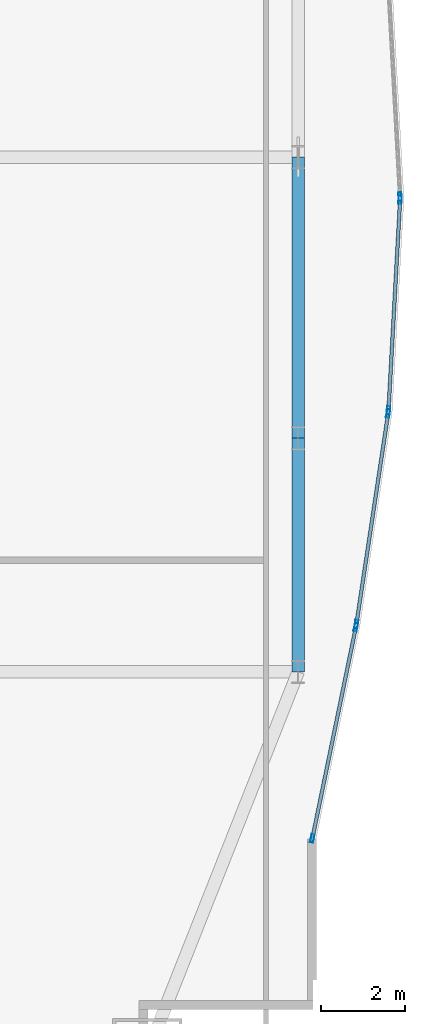
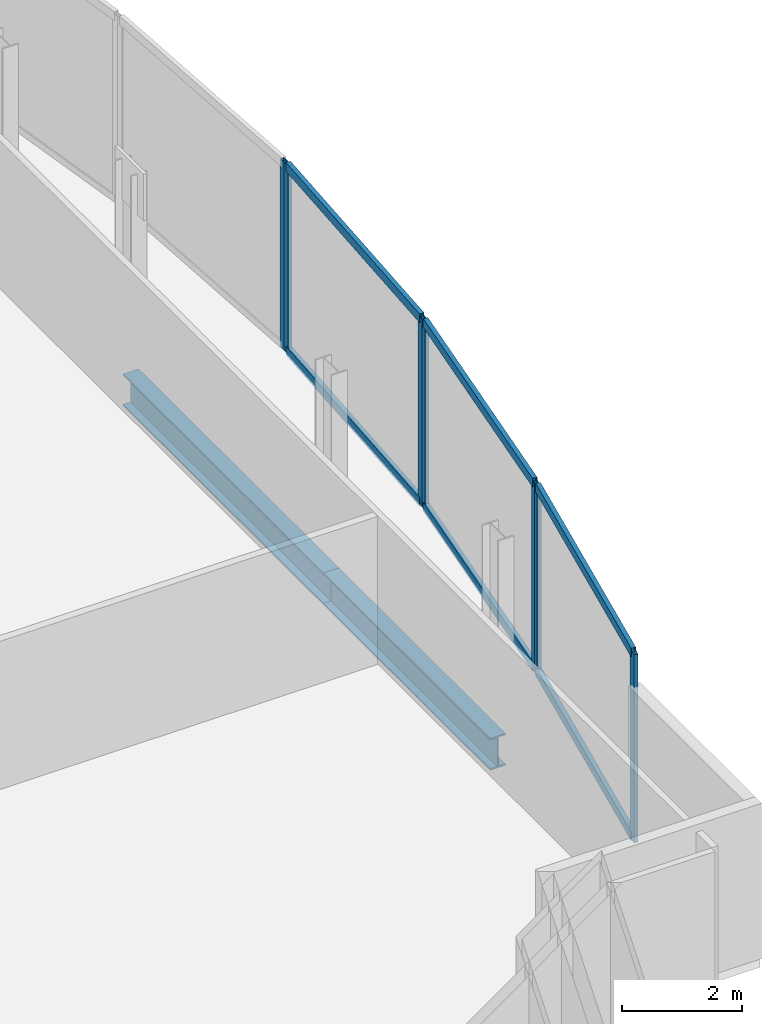
# One storey, part 22 of 36: 13 members, 2 beams, 4 elements without a shape of their own.
"""IFC4 building model written with IfcOpenShell, lengths in metres."""

from ifc_helpers import new_model, si_unit, direction, frame, origin, origin_2d, place, context, subcontext, project, spatial, hollow_rectangle, i_section, extrude, material, material_profile, profile_set, type_object, element, aggregate, save


model = new_model("IFC4")

# Units and contexts
model_context = context("Model", 3, precision=1e-05, world=origin(), true_north=direction((0.0, 1.0)))
body_context = subcontext(model_context, "Body", "Model", "MODEL_VIEW")
ifc_project = project(units=[si_unit("LENGTHUNIT", "METRE"), si_unit("AREAUNIT", "SQUARE_METRE"), si_unit("VOLUMEUNIT", "CUBIC_METRE"), si_unit("PLANEANGLEUNIT", "RADIAN"), si_unit("MASSUNIT", "GRAM", prefix="KILO")], contexts=[model_context])

# Site, building, storey
site_placement = place(None, origin())
site = spatial("IfcSite", under=ifc_project, at=site_placement, CompositionType="ELEMENT")
building_placement = place(site_placement, origin())
building = spatial("IfcBuilding", under=site, at=building_placement, Name="Khoronbel Lancet Exchange", CompositionType="ELEMENT")
storey_placement = place(building_placement, frame((0.0, 0.0, 57.800048828125)))
storey = spatial("IfcBuildingStorey", under=building, at=storey_placement, Name="L13", CompositionType="ELEMENT", Elevation=57.800048828125)

# Beams
ifc_material_1 = material(Name="Steel S355", Category="steel")
ifc_material_profile_1 = material_profile(ifc_material_1, i_section(OverallWidth=0.300048828125, OverallDepth=0.64990234375, WebThickness=0.01611328125, FlangeThickness=0.031005859375, at=origin_2d()), Name="HEB 650")
ifc_profile_set_1 = profile_set([ifc_material_profile_1], Name="Steel S355")
beam_type = type_object("IfcBeamType", Name="BM-BSP1", PredefinedType="SPANDREL", material=ifc_profile_set_1)
beam_1_placement = place(storey_placement, frame((71.6298828125, 19.199951171875, -0.505126953125), z_axis=(0.0, 1.0, 0.0), x_axis=(-1.0, 0.0, 0.0)))
element("IfcBeam", 1, at=beam_1_placement, inside=storey, type_object=beam_type, Name="Level L13 perimeter spandrel beam SP11", PredefinedType="SPANDREL", context=body_context, shape_type="SweptSolid", body=[
    extrude(i_section(OverallWidth=0.300048828125, OverallDepth=0.64990234375, WebThickness=0.01611328125, FlangeThickness=0.031005859375, at=origin_2d()), origin(), (0.0, 0.0, 1.0), 5.550048828125),
])
beam_2_placement = place(storey_placement, frame((71.6298828125, 24.75, -0.505126953125), z_axis=(0.0, 1.0, 0.0), x_axis=(-1.0, 0.0, 0.0)))
element("IfcBeam", 2, at=beam_2_placement, inside=storey, type_object=beam_type, Name="Level L13 perimeter spandrel beam SP12", PredefinedType="SPANDREL", context=body_context, shape_type="SweptSolid", body=[
    extrude(i_section(OverallWidth=0.300048828125, OverallDepth=0.64990234375, WebThickness=0.01611328125, FlangeThickness=0.031005859375, at=origin_2d()), origin(), (0.0, 0.0, 1.0), 6.675048828125),
])

# Curtain wall, member
ifc_material_2 = material(Name="Low-E Solar Control Insulating Glass", Category="glass")
curtain_wall_type = type_object("IfcCurtainWallType", Name="CW-4", PredefinedType="NOTDEFINED", material=ifc_material_2)
curtain_wall_1_placement = place(storey_placement, origin())
curtain_wall_1 = element("IfcCurtainWall", 3, at=curtain_wall_1_placement, inside=storey, type_object=curtain_wall_type, Name="Unitised curtain wall CW-L13-E19", PredefinedType="NOTDEFINED")
ifc_material_3 = material(Name="Bronze-Anodised Aluminium 6063-T6", Category="aluminium")
ifc_material_profile_2 = material_profile(ifc_material_3, hollow_rectangle(XDim=0.074951171875, YDim=0.199951171875, WallThickness=0.0048828125, at=origin_2d()), Name="ALU MULLION 75x200")
ifc_profile_set_2 = profile_set([ifc_material_profile_2], Name="Bronze-Anodised Aluminium 6063-T6")
member_type_1 = type_object("IfcMemberType", Name="MEM-CWM2", PredefinedType="MULLION", material=ifc_profile_set_2)
member_1_placement = place(storey_placement, frame((74.051513671875, 30.487548828125, 0.0), z_axis=(0.0, 0.0, 1.0), x_axis=(0.998480930794, 0.055098374212, 0.0)))
member_1 = element("IfcMember", 4, at=member_1_placement, type_object=member_type_1, Name="CW4 mullion 2", PredefinedType="MULLION", context=body_context, shape_type="SweptSolid", body=[
    extrude(hollow_rectangle(XDim=0.074951171875, YDim=0.199951171875, WallThickness=0.0048828125, at=origin_2d()), origin(), (0.0, 0.0, 1.0), 3.820068359375),
])
aggregate(curtain_wall_1, [member_1])

# Curtain wall, members
curtain_wall_2_placement = place(storey_placement, origin())
curtain_wall_2 = element("IfcCurtainWall", 5, at=curtain_wall_2_placement, inside=storey, type_object=curtain_wall_type, Name="Unitised curtain wall CW-L13-E20", PredefinedType="NOTDEFINED")
member_2_placement = place(storey_placement, frame((74.051513671875, 30.41259765625, 0.0), z_axis=(0.0, 0.0, 1.0), x_axis=(0.998480930794, -0.055098374212, 0.0)))
member_2 = element("IfcMember", 6, at=member_2_placement, type_object=member_type_1, Name="CW4 mullion 1", PredefinedType="MULLION", context=body_context, shape_type="SweptSolid", body=[
    extrude(hollow_rectangle(XDim=0.074951171875, YDim=0.199951171875, WallThickness=0.0048828125, at=origin_2d()), origin(), (0.0, 0.0, 1.0), 3.820068359375),
])
member_3_placement = place(storey_placement, frame((73.775634765625, 25.413330078125, 0.0), z_axis=(0.0, 0.0, 1.0), x_axis=(0.998480930794, -0.055098374212, 0.0)))
member_3 = element("IfcMember", 7, at=member_3_placement, type_object=member_type_1, Name="CW4 mullion 2", PredefinedType="MULLION", context=body_context, shape_type="SweptSolid", body=[
    extrude(hollow_rectangle(XDim=0.074951171875, YDim=0.199951171875, WallThickness=0.0048828125, at=origin_2d()), origin(), (0.0, 0.0, 1.0), 3.820068359375),
])

curtain_wall_3_placement = place(storey_placement, origin())
curtain_wall_3 = element("IfcCurtainWall", 8, at=curtain_wall_3_placement, inside=storey, type_object=curtain_wall_type, Name="Unitised curtain wall CW-L13-E21", PredefinedType="NOTDEFINED")
member_4_placement = place(storey_placement, frame((73.76806640625, 25.3388671875, 0.0), z_axis=(0.0, 0.0, 1.0), x_axis=(0.988825213041, -0.149079502463, 0.0)))
member_4 = element("IfcMember", 9, at=member_4_placement, type_object=member_type_1, Name="CW4 mullion 1", PredefinedType="MULLION", context=body_context, shape_type="SweptSolid", body=[
    extrude(hollow_rectangle(XDim=0.074951171875, YDim=0.199951171875, WallThickness=0.0048828125, at=origin_2d()), origin(), (0.0, 0.0, 1.0), 3.820068359375),
])
member_5_placement = place(storey_placement, frame((73.013671875, 20.336181640625, 0.0), z_axis=(0.0, 0.0, 1.0), x_axis=(0.988825213041, -0.149079502463, 0.0)))
member_5 = element("IfcMember", 10, at=member_5_placement, type_object=member_type_1, Name="CW4 mullion 2", PredefinedType="MULLION", context=body_context, shape_type="SweptSolid", body=[
    extrude(hollow_rectangle(XDim=0.074951171875, YDim=0.199951171875, WallThickness=0.0048828125, at=origin_2d()), origin(), (0.0, 0.0, 1.0), 3.820068359375),
])

curtain_wall_4_placement = place(storey_placement, origin())
curtain_wall_4 = element("IfcCurtainWall", 11, at=curtain_wall_4_placement, inside=storey, type_object=curtain_wall_type, Name="Unitised curtain wall CW-L13-E22", PredefinedType="NOTDEFINED")
member_6_placement = place(storey_placement, frame((73.000732421875, 20.262451171875, 0.0), z_axis=(0.0, 0.0, 1.0), x_axis=(0.979446422351, -0.201704501049, 0.0)))
member_6 = element("IfcMember", 12, at=member_6_placement, type_object=member_type_1, Name="CW4 mullion 1", PredefinedType="MULLION", context=body_context, shape_type="SweptSolid", body=[
    extrude(hollow_rectangle(XDim=0.074951171875, YDim=0.199951171875, WallThickness=0.0048828125, at=origin_2d()), origin(), (0.0, 0.0, 1.0), 3.820068359375),
])
member_7_placement = place(storey_placement, frame((71.967529296875, 15.245849609375, 0.0), z_axis=(0.0, 0.0, 1.0), x_axis=(0.979446422351, -0.201704501049, 0.0)))
member_7 = element("IfcMember", 13, at=member_7_placement, type_object=member_type_1, Name="CW4 mullion 2", PredefinedType="MULLION", context=body_context, shape_type="SweptSolid", body=[
    extrude(hollow_rectangle(XDim=0.074951171875, YDim=0.199951171875, WallThickness=0.0048828125, at=origin_2d()), origin(), (0.0, 0.0, 1.0), 3.820068359375),
])

# Member
ifc_material_profile_3 = material_profile(ifc_material_3, hollow_rectangle(XDim=0.0849609375, YDim=0.179931640625, WallThickness=0.0048828125, at=origin_2d()), Name="ALU TRANSOM 85x180")
ifc_profile_set_3 = profile_set([ifc_material_profile_3], Name="Bronze-Anodised Aluminium 6063-T6")
member_type_2 = type_object("IfcMemberType", Name="MEM-CWT1", PredefinedType="USERDEFINED", material=ifc_profile_set_3)
member_8_placement = place(storey_placement, frame((74.049560546875, 30.375, 0.04248046875), z_axis=(-0.055097141877, -0.998480998796, 0.0), x_axis=(0.998480998796, -0.055097141877, 0.0)))
member_8 = element("IfcMember", 14, at=member_8_placement, type_object=member_type_2, Name="CW4 transom 1.1", ObjectType="TRANSOM", PredefinedType="USERDEFINED", context=body_context, shape_type="SweptSolid", body=[
    extrude(hollow_rectangle(XDim=0.0849609375, YDim=0.179931640625, WallThickness=0.0048828125, at=origin_2d()), origin(), (0.0, 0.0, 1.0), 4.931884765625),
])

member_9_placement = place(storey_placement, frame((74.049560546875, 30.375, 3.77734375), z_axis=(-0.055097141877, -0.998480998796, 0.0), x_axis=(0.998480998796, -0.055097141877, 0.0)))
member_9 = element("IfcMember", 15, at=member_9_placement, type_object=member_type_2, Name="CW4 transom 1.2", ObjectType="TRANSOM", PredefinedType="USERDEFINED", context=body_context, shape_type="SweptSolid", body=[
    extrude(hollow_rectangle(XDim=0.0849609375, YDim=0.179931640625, WallThickness=0.0048828125, at=origin_2d()), origin(), (0.0, 0.0, 1.0), 4.931884765625),
])

aggregate(curtain_wall_2, [member_2, member_3, member_8, member_9])

member_10_placement = place(storey_placement, frame((73.762451171875, 25.3017578125, 0.04248046875), z_axis=(-0.149104496802, -0.988821444465, 0.0), x_axis=(0.988821444465, -0.149104496802, 0.0)))
member_10 = element("IfcMember", 16, at=member_10_placement, type_object=member_type_2, Name="CW4 transom 1.1", ObjectType="TRANSOM", PredefinedType="USERDEFINED", context=body_context, shape_type="SweptSolid", body=[
    extrude(hollow_rectangle(XDim=0.0849609375, YDim=0.179931640625, WallThickness=0.0048828125, at=origin_2d()), origin(), (0.0, 0.0, 1.0), 4.984130859375),
])

member_11_placement = place(storey_placement, frame((73.762451171875, 25.3017578125, 3.77734375), z_axis=(-0.149104496802, -0.988821444465, 0.0), x_axis=(0.988821444465, -0.149104496802, 0.0)))
member_11 = element("IfcMember", 17, at=member_11_placement, type_object=member_type_2, Name="CW4 transom 1.2", ObjectType="TRANSOM", PredefinedType="USERDEFINED", context=body_context, shape_type="SweptSolid", body=[
    extrude(hollow_rectangle(XDim=0.0849609375, YDim=0.179931640625, WallThickness=0.0048828125, at=origin_2d()), origin(), (0.0, 0.0, 1.0), 4.984130859375),
])

aggregate(curtain_wall_3, [member_4, member_5, member_10, member_11])

member_12_placement = place(storey_placement, frame((72.9931640625, 20.2255859375, 0.04248046875), z_axis=(-0.201732089675, -0.979440740421, 0.0), x_axis=(0.979440740421, -0.201732089675, 0.0)))
member_12 = element("IfcMember", 18, at=member_12_placement, type_object=member_type_2, Name="CW4 transom 1.1", ObjectType="TRANSOM", PredefinedType="USERDEFINED", context=body_context, shape_type="SweptSolid", body=[
    extrude(hollow_rectangle(XDim=0.0849609375, YDim=0.179931640625, WallThickness=0.0048828125, at=origin_2d()), origin(), (0.0, 0.0, 1.0), 5.046630859375),
])

member_13_placement = place(storey_placement, frame((72.9931640625, 20.2255859375, 3.77734375), z_axis=(-0.201732089675, -0.979440740421, 0.0), x_axis=(0.979440740421, -0.201732089675, 0.0)))
member_13 = element("IfcMember", 19, at=member_13_placement, type_object=member_type_2, Name="CW4 transom 1.2", ObjectType="TRANSOM", PredefinedType="USERDEFINED", context=body_context, shape_type="SweptSolid", body=[
    extrude(hollow_rectangle(XDim=0.0849609375, YDim=0.179931640625, WallThickness=0.0048828125, at=origin_2d()), origin(), (0.0, 0.0, 1.0), 5.046630859375),
])

aggregate(curtain_wall_4, [member_6, member_7, member_12, member_13])

save(model, "model.ifc")
